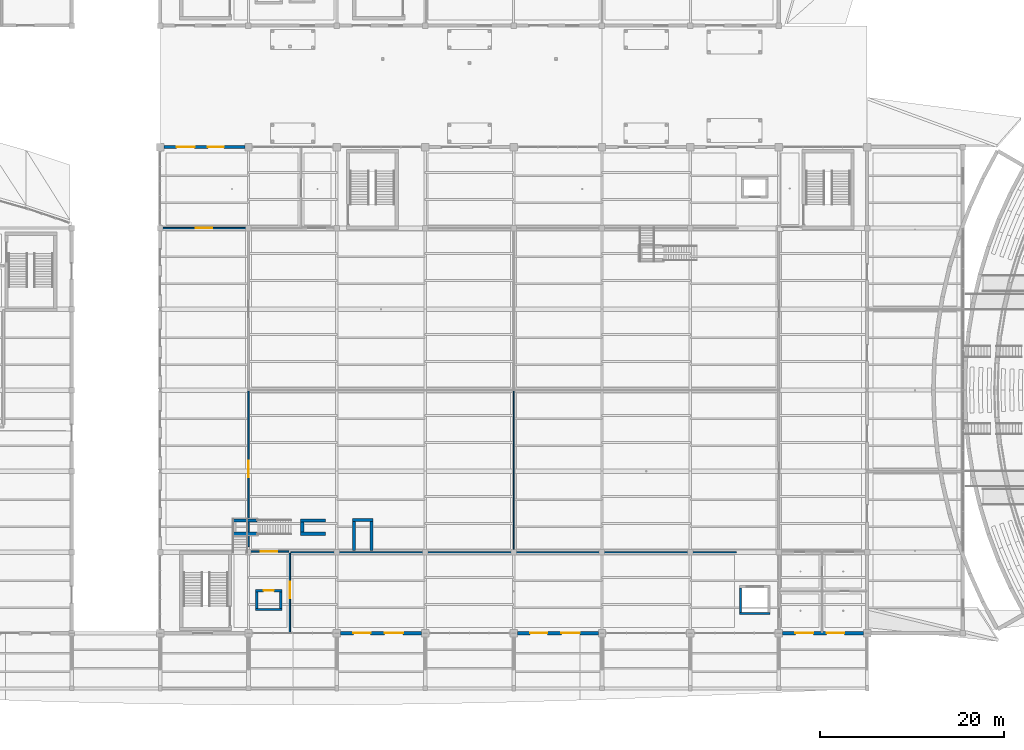
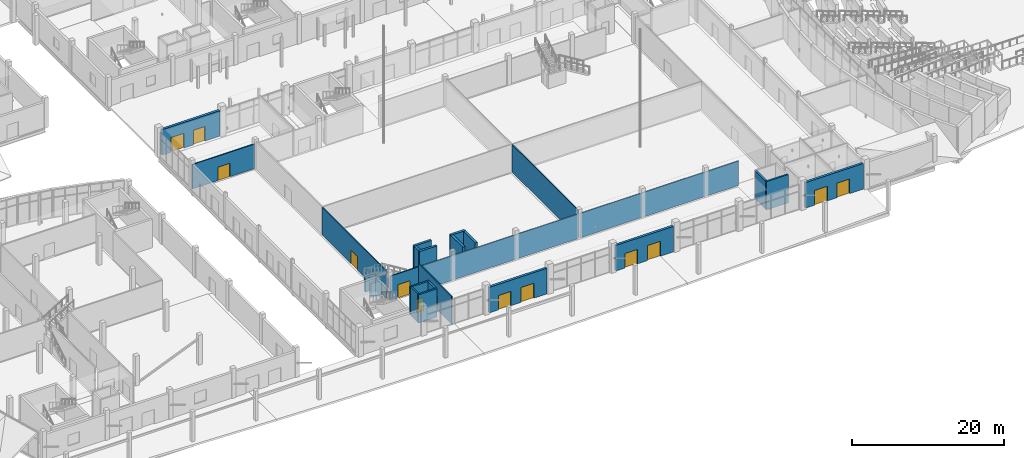
# One storey, part 78 of 116: 25 walls, 13 doors, 13 openings.
"""IFC4 building model written with IfcOpenShell, lengths in metres."""

from ifc_helpers import new_model, si_unit, direction, frame, frame_2d, origin, place, context, subcontext, project, spatial, rectangle, extrude, material, layer, layer_set, type_object, element, fill, save


model = new_model("IFC4")

# Units and contexts
model_context = context("Model", 3, precision=1e-05, world=origin(), true_north=direction((0.0, 1.0)))
body_context = subcontext(model_context, "Body", "Model", "MODEL_VIEW")
ifc_project = project(units=[si_unit("LENGTHUNIT", "METRE"), si_unit("AREAUNIT", "SQUARE_METRE"), si_unit("VOLUMEUNIT", "CUBIC_METRE"), si_unit("PLANEANGLEUNIT", "RADIAN"), si_unit("MASSUNIT", "GRAM", prefix="KILO")], contexts=[model_context])

# Site, building, storey
site_placement = place(None, origin())
site = spatial("IfcSite", under=ifc_project, at=site_placement, CompositionType="ELEMENT")
building_placement = place(site_placement, origin())
building = spatial("IfcBuilding", under=site, at=building_placement, Name="Chalmorin Arch Market", CompositionType="ELEMENT")
storey_placement = place(building_placement, origin())
storey = spatial("IfcBuildingStorey", under=building, at=storey_placement, Name="L00", CompositionType="ELEMENT", Elevation=0.0)

# Walls
ifc_material_1 = material(Name="Concrete C40/50", Category="concrete")
ifc_layer_1 = layer(ifc_material_1, 0.35009765625)
ifc_layer_set_1 = layer_set([ifc_layer_1], Name="Concrete C40/50")
wall_type_1 = type_object("IfcWallType", Name="CoreShearWall-350", PredefinedType="SHEAR", material=ifc_layer_set_1)
for number, where, z_axis, x_axis, name in (
    (1, (55.875, 16.800048828125, 0.0), (0.0, 0.0, 1.0), (1.0, 0.0, 0.0), "CSW-350-144"),
    (2, (55.875, 18.25, 0.0), (0.0, 0.0, 1.0), (1.0, 0.0, 0.0), "CSW-350-145"),
):
    element("IfcWall", number, at=place(storey_placement, frame(where, z_axis=z_axis, x_axis=x_axis)), inside=storey, type_object=wall_type_1, Name=name, PredefinedType="SHEAR", context=body_context, shape_type="SweptSolid", body=[
        extrude(rectangle(XDim=2.669921875, YDim=0.35009765625, at=frame_2d((1.3349609375, 0.0))), origin(), (0.0, 0.0, 1.0), 2.205078125),
    ])
for number, where, z_axis, x_axis, name in (
    (3, (63.27490234375, 16.800048828125, 0.0), (0.0, 0.0, 1.0), (1.0, 0.0, 0.0), "CSW-350-156"),
    (4, (63.27490234375, 18.25, 0.0), (0.0, 0.0, 1.0), (1.0, 0.0, 0.0), "CSW-350-157"),
):
    element("IfcWall", number, at=place(storey_placement, frame(where, z_axis=z_axis, x_axis=x_axis)), inside=storey, type_object=wall_type_1, Name=name, PredefinedType="SHEAR", context=body_context, shape_type="SweptSolid", body=[
        extrude(rectangle(XDim=2.670166015625, YDim=0.35009765625, at=frame_2d((1.3349609375, 0.0))), origin(), (0.0, 0.0, 1.0), 4.800048828125),
    ])
wall_1_placement = place(storey_placement, frame((63.449951171875, 16.97509765625, 0.0), z_axis=(0.0, 0.0, 1.0), x_axis=(0.0, 1.0, 0.0)))
element("IfcWall", 5, at=wall_1_placement, inside=storey, type_object=wall_type_1, Name="CSW-350-158", PredefinedType="SHEAR", context=body_context, shape_type="SweptSolid", body=[
    extrude(rectangle(XDim=1.099853515625, YDim=0.35009765625, at=frame_2d((0.5498046875, 0.0))), origin(), (0.0, 0.0, 1.0), 4.800048828125),
])
wall_2_placement = place(storey_placement, frame((68.89990234375, 18.300048828125, 0.0), z_axis=(0.0, 0.0, 1.0), x_axis=(1.0, 0.0, 0.0)))
element("IfcWall", 6, at=wall_2_placement, inside=storey, type_object=wall_type_1, Name="CSW-350-165", PredefinedType="SHEAR", context=body_context, shape_type="SweptSolid", body=[
    extrude(rectangle(XDim=2.2001953125, YDim=0.35009765625, at=frame_2d((1.10009765625, 0.0))), origin(), (0.0, 0.0, 1.0), 4.550048828125),
])
for number, where, z_axis, x_axis, name in (
    (7, (69.050048828125, 15.0, 0.0), (0.0, 0.0, 1.0), (0.0, 1.0, 0.0), "CSW-350-166"),
    (8, (70.949951171875, 15.0, 0.0), (0.0, 0.0, 1.0), (0.0, 1.0, 0.0), "CSW-350-167"),
):
    element("IfcWall", number, at=place(storey_placement, frame(where, z_axis=z_axis, x_axis=x_axis)), inside=storey, type_object=wall_type_1, Name=name, PredefinedType="SHEAR", context=body_context, shape_type="SweptSolid", body=[
        extrude(rectangle(XDim=3.300048828125, YDim=0.35009765625, at=frame_2d((1.64990234375, 0.0))), origin(), (0.0, 0.0, 1.0), 4.550048828125),
    ])

# Wall, opening, door
ifc_material_2 = material(Name="Gypsum Board Partition")
ifc_layer_2 = layer(ifc_material_2, 0.159912109375)
ifc_layer_set_2 = layer_set([ifc_layer_2], Name="Gypsum Board Partition")
wall_type_2 = type_object("IfcWallType", Name="CorridorRatedPartition-160", PredefinedType="PARTITIONING", material=ifc_layer_set_2)
wall_3_placement = place(storey_placement, frame((57.60009765625, 15.39990234375, 0.0), z_axis=(0.0, 0.0, 1.0), x_axis=(0.0, 1.0, 0.0)))
wall_3 = element("IfcWall", 9, at=wall_3_placement, inside=storey, type_object=wall_type_2, Name="CRP-160-392", PredefinedType="PARTITIONING", context=body_context, shape_type="SweptSolid", body=[
    extrude(rectangle(XDim=16.900146484375, YDim=0.159912109375, at=frame_2d((8.4501953125, 0.0))), origin(), (0.0, 0.0, 1.0), 4.419921875),
])
opening_1_placement = place(wall_3_placement, frame((7.550048828125, 0.0, 0.0)))
opening_1 = element("IfcOpeningElement", 10, at=opening_1_placement, cuts=wall_3, Name="Opening ID-101", PredefinedType="OPENING", context=body_context, shape_type="SweptSolid", body=[
    extrude(rectangle(XDim=1.800048828125, YDim=2.14990234375, at=frame_2d((0.89990234375, 1.074951171875))), frame((0.0, 0.08984375, 0.0), z_axis=(0.0, -1.0, 0.0), x_axis=(1.0, 0.0, 0.0)), (0.0, 0.0, 1.0), 0.179931640625),
])
ifc_material_3 = material(Name="Galvanised Steel", Category="steel")
door_type_1 = type_object("IfcDoorType", Name="CorridorFireDoubleDoor-1800x2150", OperationType="DOUBLE_DOOR_SINGLE_SWING", PredefinedType="DOOR", material=ifc_material_3)
door_1_placement = place(opening_1_placement, origin())
door_1 = element("IfcDoor", 11, at=door_1_placement, inside=storey, type_object=door_type_1, Name="ID-101", OperationType="DOUBLE_DOOR_SINGLE_SWING", OverallHeight=2.14990234375, OverallWidth=1.800048828125, PredefinedType="DOOR", context=body_context, shape_type="SweptSolid", body=[
    extrude(rectangle(XDim=1.800048828125, YDim=2.14990234375, at=frame_2d((0.89990234375, 1.074951171875))), frame((0.0, 0.02490234375, 0.0), z_axis=(0.0, -1.0, 0.0), x_axis=(1.0, 0.0, 0.0)), (0.0, 0.0, 1.0), 0.050048828125),
])
fill(opening_1, door_1)

wall_4_placement = place(storey_placement, frame((57.699951171875, 14.85009765625, 0.0), z_axis=(0.0, 0.0, 1.0), x_axis=(1.0, 0.0, 0.0)))
wall_4 = element("IfcWall", 12, at=wall_4_placement, inside=storey, type_object=wall_type_2, Name="CRP-160-393", PredefinedType="PARTITIONING", context=body_context, shape_type="SweptSolid", body=[
    extrude(rectangle(XDim=4.300048828125, YDim=0.159912109375, at=frame_2d((2.14990234375, 0.0))), origin(), (0.0, 0.0, 1.0), 3.925048828125),
])
opening_2_placement = place(wall_4_placement, frame((1.25, 0.0, 0.0)))
opening_2 = element("IfcOpeningElement", 13, at=opening_2_placement, cuts=wall_4, Name="Opening ID-102", PredefinedType="OPENING", context=body_context, shape_type="SweptSolid", body=[
    extrude(rectangle(XDim=1.800048828125, YDim=2.14990234375, at=frame_2d((0.89990234375, 1.074951171875))), frame((0.0, 0.08984375, 0.0), z_axis=(0.0, -1.0, 0.0), x_axis=(1.0, 0.0, 0.0)), (0.0, 0.0, 1.0), 0.179931640625),
])
door_2_placement = place(opening_2_placement, origin())
door_2 = element("IfcDoor", 14, at=door_2_placement, inside=storey, type_object=door_type_1, Name="ID-102", OperationType="DOUBLE_DOOR_SINGLE_SWING", OverallHeight=2.14990234375, OverallWidth=1.800048828125, PredefinedType="DOOR", context=body_context, shape_type="SweptSolid", body=[
    extrude(rectangle(XDim=1.800048828125, YDim=2.14990234375, at=frame_2d((0.89990234375, 1.074951171875))), frame((0.0, 0.02490234375, 0.0), z_axis=(0.0, -1.0, 0.0), x_axis=(1.0, 0.0, 0.0)), (0.0, 0.0, 1.0), 0.050048828125),
])
fill(opening_2, door_2)

wall_5_placement = place(storey_placement, frame((62.10009765625, 6.050048828125, 0.0), z_axis=(0.0, 0.0, 1.0), x_axis=(0.0, 1.0, 0.0)))
wall_5 = element("IfcWall", 15, at=wall_5_placement, inside=storey, type_object=wall_type_2, Name="CRP-160-404", PredefinedType="PARTITIONING", context=body_context, shape_type="SweptSolid", body=[
    extrude(rectangle(XDim=8.64990234375, YDim=0.159912109375, at=frame_2d((4.324951171875, 0.0))), origin(), (0.0, 0.0, 1.0), 4.419921875),
])
opening_3_placement = place(wall_5_placement, frame((3.73193359375, 0.0, 0.0)))
opening_3 = element("IfcOpeningElement", 16, at=opening_3_placement, cuts=wall_5, Name="Opening ID-107", PredefinedType="OPENING", context=body_context, shape_type="SweptSolid", body=[
    extrude(rectangle(XDim=1.800048828125, YDim=2.14990234375, at=frame_2d((0.89990234375, 1.074951171875))), frame((0.0, 0.08984375, 0.0), z_axis=(0.0, -1.0, 0.0), x_axis=(1.0, 0.0, 0.0)), (0.0, 0.0, 1.0), 0.179931640625),
])
door_3_placement = place(opening_3_placement, origin())
door_3 = element("IfcDoor", 17, at=door_3_placement, inside=storey, type_object=door_type_1, Name="ID-107", OperationType="DOUBLE_DOOR_SINGLE_SWING", OverallHeight=2.14990234375, OverallWidth=1.800048828125, PredefinedType="DOOR", context=body_context, shape_type="SweptSolid", body=[
    extrude(rectangle(XDim=1.800048828125, YDim=2.14990234375, at=frame_2d((0.89990234375, 1.074951171875))), frame((0.0, 0.02490234375, 0.0), z_axis=(0.0, -1.0, 0.0), x_axis=(1.0, 0.0, 0.0)), (0.0, 0.0, 1.0), 0.050048828125),
])
fill(opening_3, door_3)

wall_6_placement = place(storey_placement, frame((48.050048828125, 50.0, 0.0), z_axis=(0.0, 0.0, 1.0), x_axis=(1.0, 0.0, 0.0)))
wall_6 = element("IfcWall", 18, at=wall_6_placement, inside=storey, type_object=wall_type_2, Name="CRP-160-405", PredefinedType="PARTITIONING", context=body_context, shape_type="SweptSolid", body=[
    extrude(rectangle(XDim=9.449951171875, YDim=0.159912109375, at=frame_2d((4.72509765625, 0.0))), origin(), (0.0, 0.0, 1.0), 3.925048828125),
])
opening_4_placement = place(wall_6_placement, frame((3.824951171875, 0.0, 0.0)))
opening_4 = element("IfcOpeningElement", 19, at=opening_4_placement, cuts=wall_6, Name="Opening ID-108", PredefinedType="OPENING", context=body_context, shape_type="SweptSolid", body=[
    extrude(rectangle(XDim=1.800048828125, YDim=2.14990234375, at=frame_2d((0.89990234375, 1.074951171875))), frame((0.0, 0.08984375, 0.0), z_axis=(0.0, -1.0, 0.0), x_axis=(1.0, 0.0, 0.0)), (0.0, 0.0, 1.0), 0.179931640625),
])
door_4_placement = place(opening_4_placement, origin())
door_4 = element("IfcDoor", 20, at=door_4_placement, inside=storey, type_object=door_type_1, Name="ID-108", OperationType="DOUBLE_DOOR_SINGLE_SWING", OverallHeight=2.14990234375, OverallWidth=1.800048828125, PredefinedType="DOOR", context=body_context, shape_type="SweptSolid", body=[
    extrude(rectangle(XDim=1.800048828125, YDim=2.14990234375, at=frame_2d((0.89990234375, 1.074951171875))), frame((0.0, 0.02490234375, 0.0), z_axis=(0.0, -1.0, 0.0), x_axis=(1.0, 0.0, 0.0)), (0.0, 0.0, 1.0), 0.050048828125),
])
fill(opening_4, door_4)

# Walls
ifc_material_4 = material(Name="Powder-coated Aluminium Panel", Category="aluminium")
ifc_layer_3 = layer(ifc_material_4, 0.125)
ifc_layer_set_3 = layer_set([ifc_layer_3], Name="Powder-coated Aluminium Panel")
wall_type_3 = type_object("IfcWallType", Name="DemountableStudStallPartition-125", PredefinedType="PARTITIONING", material=ifc_layer_set_3)
wall_7_placement = place(storey_placement, frame((86.39990234375, 14.89990234375, 0.0), z_axis=(0.0, 0.0, 1.0), x_axis=(0.0, 1.0, 0.0)))
element("IfcWall", 21, at=wall_7_placement, inside=storey, type_object=wall_type_3, Name="DSP-125-389", PredefinedType="PARTITIONING", context=body_context, shape_type="SweptSolid", body=[
    extrude(rectangle(XDim=17.400146484375, YDim=0.125, at=frame_2d((8.7001953125, 0.0))), origin(), (0.0, 0.0, 1.0), 4.419921875),
])
for number, where, z_axis, x_axis, name in (
    (22, (62.199951171875, 14.800048828125, 0.0), (0.0, 0.0, 1.0), (1.0, 0.0, 0.0), "DSP-125-391"),
    (23, (86.5, 14.800048828125, 0.0), (0.0, 0.0, 1.0), (1.0, 0.0, 0.0), "DSP-125-395"),
):
    element("IfcWall", number, at=place(storey_placement, frame(where, z_axis=z_axis, x_axis=x_axis)), inside=storey, type_object=wall_type_3, Name=name, PredefinedType="PARTITIONING", context=body_context, shape_type="SweptSolid", body=[
        extrude(rectangle(XDim=24.10009765625, YDim=0.125, at=frame_2d((12.050048828125, 0.0))), origin(), (0.0, 0.0, 1.0), 3.925048828125),
    ])

# Wall, openings, doors
ifc_material_5 = material(Name="Concrete C35/45", Category="concrete")
ifc_layer_4 = layer(ifc_material_5, 0.35009765625)
ifc_layer_set_4 = layer_set([ifc_layer_4], Name="Concrete C35/45")
wall_type_4 = type_object("IfcWallType", Name="PlinthPerimeterWall-350", PredefinedType="SOLIDWALL", material=ifc_layer_set_4)
wall_8_placement = place(storey_placement, frame((48.39990234375, 58.800048828125, 0.0), z_axis=(0.0, 0.0, 1.0), x_axis=(1.0, 0.0, 0.0)))
wall_8 = element("IfcWall", 24, at=wall_8_placement, inside=storey, type_object=wall_type_4, Name="PPW-350-076", PredefinedType="SOLIDWALL", context=body_context, shape_type="SweptSolid", body=[
    extrude(rectangle(XDim=8.800048828125, YDim=0.35009765625, at=frame_2d((4.39990234375, 0.0))), origin(), (0.0, 0.0, 1.0), 4.10009765625),
])
opening_5_placement = place(wall_8_placement, frame((1.39990234375, 0.0, 0.0)))
opening_5 = element("IfcOpeningElement", 25, at=opening_5_placement, cuts=wall_8, Name="Opening ED-001", PredefinedType="OPENING", context=body_context, shape_type="SweptSolid", body=[
    extrude(rectangle(XDim=1.9599609375, YDim=2.3701171875, at=frame_2d((0.97998046875, 1.18505859375))), frame((0.0, 0.18505859375, 0.0), z_axis=(0.0, -1.0, 0.0), x_axis=(1.0, 0.0, 0.0)), (0.0, 0.0, 1.0), 0.3701171875),
])
opening_6_placement = place(wall_8_placement, frame((4.800048828125, 0.0, 0.0)))
opening_6 = element("IfcOpeningElement", 26, at=opening_6_placement, cuts=wall_8, Name="Opening ED-002", PredefinedType="OPENING", context=body_context, shape_type="SweptSolid", body=[
    extrude(rectangle(XDim=1.719970703125, YDim=2.340087890625, at=frame_2d((0.85986328125, 1.169921875))), frame((0.0, 0.18505859375, 0.0), z_axis=(0.0, -1.0, 0.0), x_axis=(1.0, 0.0, 0.0)), (0.0, 0.0, 1.0), 0.3701171875),
])
ifc_material_6 = material(Name="Aluminium 6063-T6", Category="aluminium")
door_type_2 = type_object("IfcDoorType", Name="DoubleStorefrontDoor-1800x2400-1720x2340", OperationType="DOUBLE_DOOR_SINGLE_SWING", PredefinedType="DOOR", material=ifc_material_6)
door_5_placement = place(opening_6_placement, origin())
door_5 = element("IfcDoor", 27, at=door_5_placement, inside=storey, type_object=door_type_2, Name="ED-002", OperationType="DOUBLE_DOOR_SINGLE_SWING", OverallHeight=2.340087890625, OverallWidth=1.719970703125, PredefinedType="DOOR", context=body_context, shape_type="SweptSolid", body=[
    extrude(rectangle(XDim=1.719970703125, YDim=2.340087890625, at=frame_2d((0.85986328125, 1.169921875))), frame((0.0, 0.02490234375, 0.0), z_axis=(0.0, -1.0, 0.0), x_axis=(1.0, 0.0, 0.0)), (0.0, 0.0, 1.0), 0.050048828125),
])
fill(opening_6, door_5)
door_type_3 = type_object("IfcDoorType", Name="DoubleStorefrontDoor-2000x2400-1960x2370", OperationType="DOUBLE_DOOR_SINGLE_SWING", PredefinedType="DOOR", material=ifc_material_6)
door_6_placement = place(opening_5_placement, origin())
door_6 = element("IfcDoor", 28, at=door_6_placement, inside=storey, type_object=door_type_3, Name="ED-001", OperationType="DOUBLE_DOOR_SINGLE_SWING", OverallHeight=2.3701171875, OverallWidth=1.9599609375, PredefinedType="DOOR", context=body_context, shape_type="SweptSolid", body=[
    extrude(rectangle(XDim=1.9599609375, YDim=2.3701171875, at=frame_2d((0.97998046875, 1.18505859375))), frame((0.0, 0.02490234375, 0.0), z_axis=(0.0, -1.0, 0.0), x_axis=(1.0, 0.0, 0.0)), (0.0, 0.0, 1.0), 0.050048828125),
])
fill(opening_5, door_6)

wall_9_placement = place(storey_placement, frame((67.60009765625, 6.0, 0.0), z_axis=(0.0, 0.0, 1.0), x_axis=(1.0, 0.0, 0.0)))
wall_9 = element("IfcWall", 29, at=wall_9_placement, inside=storey, type_object=wall_type_4, Name="PPW-350-083", PredefinedType="SOLIDWALL", context=body_context, shape_type="SweptSolid", body=[
    extrude(rectangle(XDim=8.7998046875, YDim=0.35009765625, at=frame_2d((4.39990234375, 0.0))), origin(), (0.0, 0.0, 1.0), 4.10009765625),
])
opening_7_placement = place(wall_9_placement, frame((1.39990234375, 0.0, 0.0)))
opening_7 = element("IfcOpeningElement", 30, at=opening_7_placement, cuts=wall_9, Name="Opening ED-003", PredefinedType="OPENING", context=body_context, shape_type="SweptSolid", body=[
    extrude(rectangle(XDim=1.8798828125, YDim=2.31005859375, at=frame_2d((0.93994140625, 1.155029296875))), frame((0.0, 0.18505859375, 0.0), z_axis=(0.0, -1.0, 0.0), x_axis=(1.0, 0.0, 0.0)), (0.0, 0.0, 1.0), 0.3701171875),
])
opening_8_placement = place(wall_9_placement, frame((4.800048828125, 0.0, 0.0)))
opening_8 = element("IfcOpeningElement", 31, at=opening_8_placement, cuts=wall_9, Name="Opening ED-004", PredefinedType="OPENING", context=body_context, shape_type="SweptSolid", body=[
    extrude(rectangle(XDim=2.0, YDim=2.39990234375, at=frame_2d((1.0, 1.199951171875))), frame((0.0, 0.18505859375, 0.0), z_axis=(0.0, -1.0, 0.0), x_axis=(1.0, 0.0, 0.0)), (0.0, 0.0, 1.0), 0.3701171875),
])
door_type_4 = type_object("IfcDoorType", Name="DoubleStorefrontDoor-2000x2400", OperationType="DOUBLE_DOOR_SINGLE_SWING", PredefinedType="DOOR", material=ifc_material_6)
door_7_placement = place(opening_8_placement, origin())
door_7 = element("IfcDoor", 32, at=door_7_placement, inside=storey, type_object=door_type_4, Name="ED-004", OperationType="DOUBLE_DOOR_SINGLE_SWING", OverallHeight=2.39990234375, OverallWidth=2.0, PredefinedType="DOOR", context=body_context, shape_type="SweptSolid", body=[
    extrude(rectangle(XDim=2.0, YDim=2.39990234375, at=frame_2d((1.0, 1.199951171875))), frame((0.0, 0.02490234375, 0.0), z_axis=(0.0, -1.0, 0.0), x_axis=(1.0, 0.0, 0.0)), (0.0, 0.0, 1.0), 0.050048828125),
])
fill(opening_8, door_7)
door_type_5 = type_object("IfcDoorType", Name="DoubleStorefrontDoor-2000x2400-1880x2310", OperationType="DOUBLE_DOOR_SINGLE_SWING", PredefinedType="DOOR", material=ifc_material_6)
door_8_placement = place(opening_7_placement, origin())
door_8 = element("IfcDoor", 33, at=door_8_placement, inside=storey, type_object=door_type_5, Name="ED-003", OperationType="DOUBLE_DOOR_SINGLE_SWING", OverallHeight=2.31005859375, OverallWidth=1.8798828125, PredefinedType="DOOR", context=body_context, shape_type="SweptSolid", body=[
    extrude(rectangle(XDim=1.8798828125, YDim=2.31005859375, at=frame_2d((0.93994140625, 1.155029296875))), frame((0.0, 0.02490234375, 0.0), z_axis=(0.0, -1.0, 0.0), x_axis=(1.0, 0.0, 0.0)), (0.0, 0.0, 1.0), 0.050048828125),
])
fill(opening_7, door_8)

wall_10_placement = place(storey_placement, frame((86.800048828125, 6.0, 0.0), z_axis=(0.0, 0.0, 1.0), x_axis=(1.0, 0.0, 0.0)))
wall_10 = element("IfcWall", 34, at=wall_10_placement, inside=storey, type_object=wall_type_4, Name="PPW-350-093", PredefinedType="SOLIDWALL", context=body_context, shape_type="SweptSolid", body=[
    extrude(rectangle(XDim=8.800048828125, YDim=0.35009765625, at=frame_2d((4.39990234375, 0.0))), origin(), (0.0, 0.0, 1.0), 4.10009765625),
])
opening_9_placement = place(wall_10_placement, frame((1.39990234375, 0.0, 0.0)))
opening_9 = element("IfcOpeningElement", 35, at=opening_9_placement, cuts=wall_10, Name="Opening ED-007", PredefinedType="OPENING", context=body_context, shape_type="SweptSolid", body=[
    extrude(rectangle(XDim=1.8798828125, YDim=2.31005859375, at=frame_2d((0.93994140625, 1.155029296875))), frame((0.0, 0.18505859375, 0.0), z_axis=(0.0, -1.0, 0.0), x_axis=(1.0, 0.0, 0.0)), (0.0, 0.0, 1.0), 0.3701171875),
])
opening_10_placement = place(wall_10_placement, frame((4.800048828125, 0.0, 0.0)))
opening_10 = element("IfcOpeningElement", 36, at=opening_10_placement, cuts=wall_10, Name="Opening ED-008", PredefinedType="OPENING", context=body_context, shape_type="SweptSolid", body=[
    extrude(rectangle(XDim=2.0, YDim=2.39990234375, at=frame_2d((1.0, 1.199951171875))), frame((0.0, 0.18505859375, 0.0), z_axis=(0.0, -1.0, 0.0), x_axis=(1.0, 0.0, 0.0)), (0.0, 0.0, 1.0), 0.3701171875),
])
door_9_placement = place(opening_10_placement, origin())
door_9 = element("IfcDoor", 37, at=door_9_placement, inside=storey, type_object=door_type_4, Name="ED-008", OperationType="DOUBLE_DOOR_SINGLE_SWING", OverallHeight=2.39990234375, OverallWidth=2.0, PredefinedType="DOOR", context=body_context, shape_type="SweptSolid", body=[
    extrude(rectangle(XDim=2.0, YDim=2.39990234375, at=frame_2d((1.0, 1.199951171875))), frame((0.0, 0.02490234375, 0.0), z_axis=(0.0, -1.0, 0.0), x_axis=(1.0, 0.0, 0.0)), (0.0, 0.0, 1.0), 0.050048828125),
])
fill(opening_10, door_9)
door_10_placement = place(opening_9_placement, origin())
door_10 = element("IfcDoor", 38, at=door_10_placement, inside=storey, type_object=door_type_5, Name="ED-007", OperationType="DOUBLE_DOOR_SINGLE_SWING", OverallHeight=2.31005859375, OverallWidth=1.8798828125, PredefinedType="DOOR", context=body_context, shape_type="SweptSolid", body=[
    extrude(rectangle(XDim=1.8798828125, YDim=2.31005859375, at=frame_2d((0.93994140625, 1.155029296875))), frame((0.0, 0.02490234375, 0.0), z_axis=(0.0, -1.0, 0.0), x_axis=(1.0, 0.0, 0.0)), (0.0, 0.0, 1.0), 0.050048828125),
])
fill(opening_9, door_10)

wall_11_placement = place(storey_placement, frame((115.60009765625, 6.0, 0.0), z_axis=(0.0, 0.0, 1.0), x_axis=(1.0, 0.0, 0.0)))
wall_11 = element("IfcWall", 39, at=wall_11_placement, inside=storey, type_object=wall_type_4, Name="PPW-350-108", PredefinedType="SOLIDWALL", context=body_context, shape_type="SweptSolid", body=[
    extrude(rectangle(XDim=8.7998046875, YDim=0.35009765625, at=frame_2d((4.39990234375, 0.0))), origin(), (0.0, 0.0, 1.0), 4.10009765625),
])
opening_11_placement = place(wall_11_placement, frame((1.39990234375, 0.0, 0.0)))
opening_11 = element("IfcOpeningElement", 40, at=opening_11_placement, cuts=wall_11, Name="Opening ED-013", PredefinedType="OPENING", context=body_context, shape_type="SweptSolid", body=[
    extrude(rectangle(XDim=1.9599609375, YDim=2.3701171875, at=frame_2d((0.97998046875, 1.18505859375))), frame((0.0, 0.18505859375, 0.0), z_axis=(0.0, -1.0, 0.0), x_axis=(1.0, 0.0, 0.0)), (0.0, 0.0, 1.0), 0.3701171875),
])
opening_12_placement = place(wall_11_placement, frame((4.800048828125, 0.0, 0.0)))
opening_12 = element("IfcOpeningElement", 41, at=opening_12_placement, cuts=wall_11, Name="Opening ED-014", PredefinedType="OPENING", context=body_context, shape_type="SweptSolid", body=[
    extrude(rectangle(XDim=1.919921875, YDim=2.340087890625, at=frame_2d((0.9599609375, 1.169921875))), frame((0.0, 0.18505859375, 0.0), z_axis=(0.0, -1.0, 0.0), x_axis=(1.0, 0.0, 0.0)), (0.0, 0.0, 1.0), 0.3701171875),
])
door_type_6 = type_object("IfcDoorType", Name="DoubleStorefrontDoor-2000x2400-1920x2340", OperationType="DOUBLE_DOOR_SINGLE_SWING", PredefinedType="DOOR", material=ifc_material_6)
door_11_placement = place(opening_12_placement, origin())
door_11 = element("IfcDoor", 42, at=door_11_placement, inside=storey, type_object=door_type_6, Name="ED-014", OperationType="DOUBLE_DOOR_SINGLE_SWING", OverallHeight=2.340087890625, OverallWidth=1.919921875, PredefinedType="DOOR", context=body_context, shape_type="SweptSolid", body=[
    extrude(rectangle(XDim=1.919921875, YDim=2.340087890625, at=frame_2d((0.9599609375, 1.169921875))), frame((0.0, 0.02490234375, 0.0), z_axis=(0.0, -1.0, 0.0), x_axis=(1.0, 0.0, 0.0)), (0.0, 0.0, 1.0), 0.050048828125),
])
fill(opening_12, door_11)
door_12_placement = place(opening_11_placement, origin())
door_12 = element("IfcDoor", 43, at=door_12_placement, inside=storey, type_object=door_type_3, Name="ED-013", OperationType="DOUBLE_DOOR_SINGLE_SWING", OverallHeight=2.3701171875, OverallWidth=1.9599609375, PredefinedType="DOOR", context=body_context, shape_type="SweptSolid", body=[
    extrude(rectangle(XDim=1.9599609375, YDim=2.3701171875, at=frame_2d((0.97998046875, 1.18505859375))), frame((0.0, 0.02490234375, 0.0), z_axis=(0.0, -1.0, 0.0), x_axis=(1.0, 0.0, 0.0)), (0.0, 0.0, 1.0), 0.050048828125),
])
fill(opening_11, door_12)

# Wall
ifc_layer_5 = layer(ifc_material_5, 0.25)
ifc_layer_set_5 = layer_set([ifc_layer_5], Name="Concrete C35/45")
wall_type_5 = type_object("IfcWallType", Name="ShaftEnclosureWall-250", PredefinedType="SOLIDWALL", material=ifc_layer_set_5)
wall_12_placement = place(storey_placement, frame((61.22509765625, 8.574951171875, 0.0), z_axis=(0.0, 0.0, 1.0), x_axis=(-1.0, 0.0, 0.0)))
element("IfcWall", 44, at=wall_12_placement, inside=storey, type_object=wall_type_5, Name="SEW-250-234", PredefinedType="SOLIDWALL", context=body_context, shape_type="SweptSolid", body=[
    extrude(rectangle(XDim=2.85009765625, YDim=0.25, at=frame_2d((1.425048828125, 0.0))), origin(), (0.0, 0.0, 1.0), 4.550048828125),
])

# Wall, opening, door
wall_13_placement = place(storey_placement, frame((58.375, 10.625, 0.0), z_axis=(0.0, 0.0, 1.0), x_axis=(1.0, 0.0, 0.0)))
wall_13 = element("IfcWall", 45, at=wall_13_placement, inside=storey, type_object=wall_type_5, Name="SEW-250-235", PredefinedType="SOLIDWALL", context=body_context, shape_type="SweptSolid", body=[
    extrude(rectangle(XDim=2.85009765625, YDim=0.25, at=frame_2d((1.425048828125, 0.0))), origin(), (0.0, 0.0, 1.0), 4.550048828125),
])
opening_13_placement = place(wall_13_placement, frame((0.875, 0.0, 0.0)))
opening_13 = element("IfcOpeningElement", 46, at=opening_13_placement, cuts=wall_13, Name="Opening LD-LF-P2-L00", PredefinedType="OPENING", context=body_context, shape_type="SweptSolid", body=[
    extrude(rectangle(XDim=1.10009765625, YDim=2.14990234375, at=frame_2d((0.550048828125, 1.074951171875))), frame((0.0, 0.135009765625, 0.0), z_axis=(0.0, -1.0, 0.0), x_axis=(1.0, 0.0, 0.0)), (0.0, 0.0, 1.0), 0.27001953125),
])
ifc_material_7 = material(Name="Stainless Steel 316", Category="steel")
door_type_7 = type_object("IfcDoorType", Name="LiftLandingSlidingDoor-1100x2150", OperationType="DOUBLE_DOOR_SLIDING", PredefinedType="DOOR", material=ifc_material_7)
door_13_placement = place(opening_13_placement, origin())
door_13 = element("IfcDoor", 47, at=door_13_placement, inside=storey, type_object=door_type_7, Name="LD-LF-P2-L00", OperationType="DOUBLE_DOOR_SLIDING", OverallHeight=2.14990234375, OverallWidth=1.10009765625, PredefinedType="DOOR", context=body_context, shape_type="SweptSolid", body=[
    extrude(rectangle(XDim=1.10009765625, YDim=2.14990234375, at=frame_2d((0.550048828125, 1.074951171875))), frame((0.0, 0.02490234375, 0.0), z_axis=(0.0, -1.0, 0.0), x_axis=(1.0, 0.0, 0.0)), (0.0, 0.0, 1.0), 0.050048828125),
])
fill(opening_13, door_13)

# Walls
for number, where, z_axis, x_axis, name in (
    (48, (58.5, 8.699951171875, 0.0), (0.0, 0.0, 1.0), (0.0, 1.0, 0.0), "SEW-250-236"),
    (49, (61.10009765625, 10.5, 0.0), (0.0, 0.0, 1.0), (0.0, -1.0, 0.0), "SEW-250-237"),
):
    element("IfcWall", number, at=place(storey_placement, frame(where, z_axis=z_axis, x_axis=x_axis)), inside=storey, type_object=wall_type_5, Name=name, PredefinedType="SOLIDWALL", context=body_context, shape_type="SweptSolid", body=[
        extrude(rectangle(XDim=1.800048828125, YDim=0.25, at=frame_2d((0.89990234375, 0.0))), origin(), (0.0, 0.0, 1.0), 4.550048828125),
    ])
wall_14_placement = place(storey_placement, frame((114.27490234375, 8.14990234375, 0.0), z_axis=(0.0, 0.0, 1.0), x_axis=(-1.0, 0.0, 0.0)))
element("IfcWall", 50, at=wall_14_placement, inside=storey, type_object=wall_type_5, Name="SEW-250-302", PredefinedType="SOLIDWALL", context=body_context, shape_type="SweptSolid", body=[
    extrude(rectangle(XDim=3.349853515625, YDim=0.25, at=frame_2d((1.6748046875, 0.0))), origin(), (0.0, 0.0, 1.0), 4.550048828125),
])
wall_15_placement = place(storey_placement, frame((111.050048828125, 8.27490234375, 0.0), z_axis=(0.0, 0.0, 1.0), x_axis=(0.0, 1.0, 0.0)))
element("IfcWall", 51, at=wall_15_placement, inside=storey, type_object=wall_type_5, Name="SEW-250-304", PredefinedType="SOLIDWALL", context=body_context, shape_type="SweptSolid", body=[
    extrude(rectangle(XDim=2.650146484375, YDim=0.25, at=frame_2d((1.3251953125, 0.0))), origin(), (0.0, 0.0, 1.0), 4.550048828125),
])

save(model, "model.ifc")
